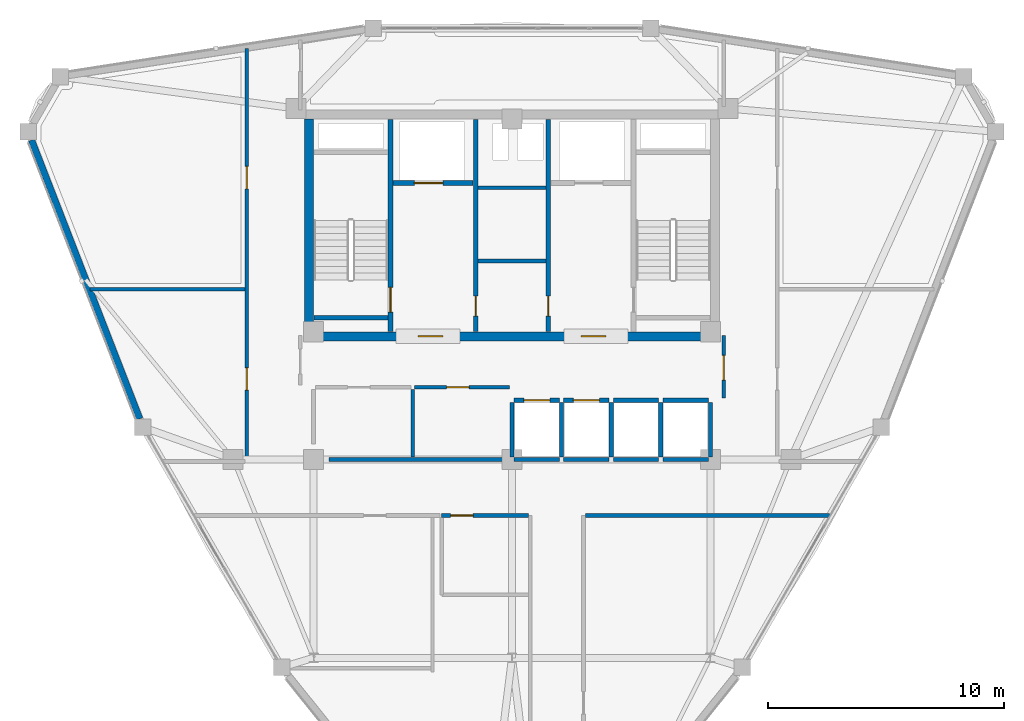
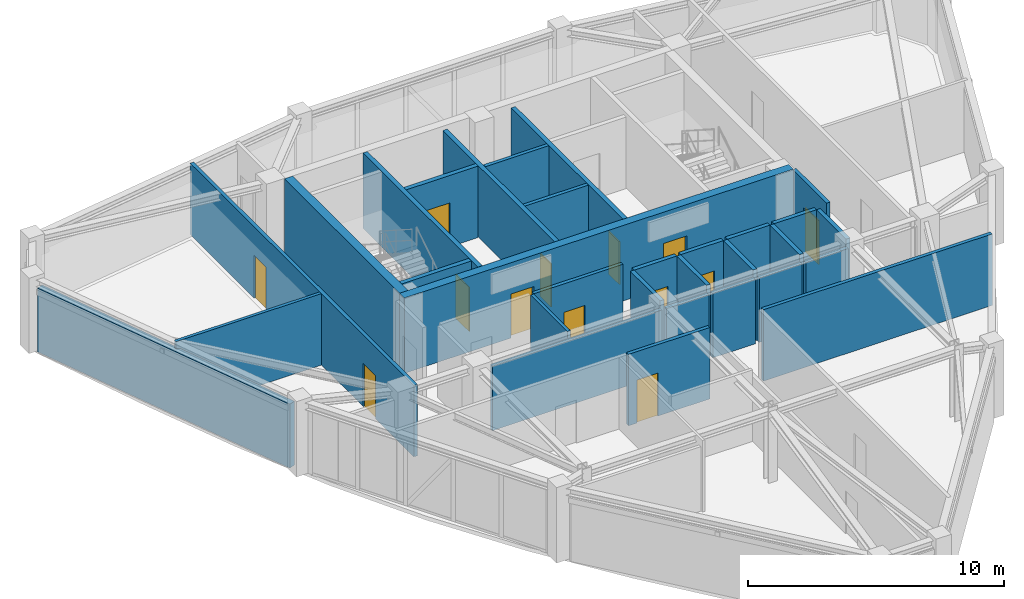
# One storey, part 12 of 15: 31 walls, 13 doors, 13 openings.
"""IFC4 building model written with IfcOpenShell, lengths in metres."""

from ifc_helpers import new_model, si_unit, derived_unit, direction, frame, frame_2d, origin, place, context, subcontext, project, spatial, rectangle, extrude, material, layer, layer_set, type_object, element, fill, save


model = new_model("IFC4")

# Units and contexts
model_context = context("Model", 3, precision=1e-05, world=origin(), true_north=direction((0.0, 1.0)))
body_context = subcontext(model_context, "Body", "Model", "MODEL_VIEW")
ifc_project = project(units=[si_unit("LENGTHUNIT", "METRE"), si_unit("AREAUNIT", "SQUARE_METRE"), si_unit("VOLUMEUNIT", "CUBIC_METRE"), si_unit("PLANEANGLEUNIT", "RADIAN"), si_unit("MASSUNIT", "GRAM", prefix="KILO"), derived_unit("THERMALTRANSMITTANCEUNIT", [(si_unit("POWERUNIT", "WATT"), 1), (si_unit("LENGTHUNIT", "METRE"), -2), (si_unit("THERMODYNAMICTEMPERATUREUNIT", "KELVIN"), -1)])], contexts=[model_context])

# Site, building, storey
site_placement = place(None, origin())
site = spatial("IfcSite", under=ifc_project, at=site_placement, CompositionType="ELEMENT")
building_placement = place(site_placement, origin())
building = spatial("IfcBuilding", under=site, at=building_placement, Name="Korsvarv Bourse and Concert Hall", CompositionType="ELEMENT")
storey_placement = place(building_placement, frame((0.0, 0.0, 268.199951171875)))
storey = spatial("IfcBuildingStorey", under=building, at=storey_placement, Name="L70", CompositionType="ELEMENT", Elevation=268.199951171875)

# Wall, openings, doors
ifc_material_1 = material(Name="Concrete C50/60", Category="concrete")
ifc_layer_1 = layer(ifc_material_1, 0.3798828125)
ifc_layer_set_1 = layer_set([ifc_layer_1], Name="Concrete C50/60")
wall_type_1 = type_object("IfcWallType", Name="WL-CORE-380", PredefinedType="SHEAR", material=ifc_layer_set_1)
wall_1_placement = place(storey_placement, frame((27.219970703125, 37.610107421875, 0.0), z_axis=(0.0, 0.0, 1.0), x_axis=(1.0, 0.0, 0.0)))
wall_1 = element("IfcWall", 1, at=wall_1_placement, inside=storey, type_object=wall_type_1, Name="L70 South Core Shear Wall", PredefinedType="SHEAR", context=body_context, shape_type="SweptSolid", body=[
    extrude(rectangle(XDim=17.56005859375, YDim=0.3798828125, at=frame_2d((8.780029296875, 0.0))), origin(), (0.0, 0.0, 1.0), 3.60009765625),
])
opening_1_placement = place(wall_1_placement, frame((4.804931640625, 0.0, 0.0)))
opening_1 = element("IfcOpeningElement", 2, at=opening_1_placement, cuts=wall_1, Name="Opening D-01", PredefinedType="OPENING", context=body_context, shape_type="SweptSolid", body=[
    extrude(rectangle(XDim=1.050048828125, YDim=2.10009765625, at=frame_2d((0.52490234375, 1.050048828125))), frame((0.0, 0.199951171875, 0.0), z_axis=(0.0, -1.0, 0.0), x_axis=(1.0, 0.0, 0.0)), (0.0, 0.0, 1.0), 0.39990234375),
])
opening_2_placement = place(wall_1_placement, frame((11.705078125, 0.0, 0.0)))
opening_2 = element("IfcOpeningElement", 3, at=opening_2_placement, cuts=wall_1, Name="Opening D-01", PredefinedType="OPENING", context=body_context, shape_type="SweptSolid", body=[
    extrude(rectangle(XDim=1.050048828125, YDim=2.10009765625, at=frame_2d((0.52490234375, 1.050048828125))), frame((0.0, 0.199951171875, 0.0), z_axis=(0.0, -1.0, 0.0), x_axis=(1.0, 0.0, 0.0)), (0.0, 0.0, 1.0), 0.39990234375),
])
ifc_material_2 = material(Name="Steel S355 fire door", Category="steel")
door_type_1 = type_object("IfcDoorType", Name="DR-FD60", OperationType="NOTDEFINED", PredefinedType="DOOR", material=ifc_material_2)
door_1_placement = place(opening_1_placement, frame((1.050048828125, 0.0, 0.0), z_axis=(0.0, 0.0, 1.0), x_axis=(-1.0, 0.0, 0.0)))
door_1 = element("IfcDoor", 4, at=door_1_placement, inside=storey, type_object=door_type_1, Name="L70 firefighting lobby fire door DR-L70-FFLW", OperationType="SINGLE_SWING_RIGHT", OverallHeight=2.10009765625, OverallWidth=1.050048828125, PredefinedType="DOOR", context=body_context, shape_type="SweptSolid", body=[
    extrude(rectangle(XDim=1.050048828125, YDim=2.10009765625, at=frame_2d((0.52490234375, 1.050048828125))), frame((0.0, 0.02490234375, 0.0), z_axis=(0.0, -1.0, 0.0), x_axis=(1.0, 0.0, 0.0)), (0.0, 0.0, 1.0), 0.050048828125),
])
fill(opening_1, door_1)
door_2_placement = place(opening_2_placement, frame((1.050048828125, 0.0, 0.0), z_axis=(0.0, 0.0, 1.0), x_axis=(-1.0, 0.0, 0.0)))
door_2 = element("IfcDoor", 5, at=door_2_placement, inside=storey, type_object=door_type_1, Name="L70 firefighting lobby fire door DR-L70-FFLE", OperationType="SINGLE_SWING_LEFT", OverallHeight=2.10009765625, OverallWidth=1.050048828125, PredefinedType="DOOR", context=body_context, shape_type="SweptSolid", body=[
    extrude(rectangle(XDim=1.050048828125, YDim=2.10009765625, at=frame_2d((0.52490234375, 1.050048828125))), frame((0.0, 0.02490234375, 0.0), z_axis=(0.0, -1.0, 0.0), x_axis=(1.0, 0.0, 0.0)), (0.0, 0.0, 1.0), 0.050048828125),
])
fill(opening_2, door_2)

# Wall
wall_2_placement = place(storey_placement, frame((27.409912109375, 37.800048828125, 0.0), z_axis=(0.0, 0.0, 1.0), x_axis=(0.0, 1.0, 0.0)))
element("IfcWall", 6, at=wall_2_placement, inside=storey, type_object=wall_type_1, Name="L70 West Core Shear Wall", PredefinedType="SHEAR", context=body_context, shape_type="SweptSolid", body=[
    extrude(rectangle(XDim=9.0, YDim=0.3798828125, at=frame_2d((4.5, 0.0))), origin(), (0.0, 0.0, 1.0), 3.60009765625),
])

# Wall, opening, door
wall_3_placement = place(storey_placement, frame((30.860107421875, 37.81005859375, 0.0), z_axis=(0.0, 0.0, 1.0), x_axis=(0.0, 1.0, 0.0)))
wall_3 = element("IfcWall", 7, at=wall_3_placement, inside=storey, type_object=wall_type_1, Name="L70 stair shaft structural wall W-L70-ST1-E", PredefinedType="SHEAR", context=body_context, shape_type="SweptSolid", body=[
    extrude(rectangle(XDim=8.97998046875, YDim=0.199951171875, at=frame_2d((4.489990234375, 0.0))), origin(), (0.0, 0.0, 1.0), 3.60009765625),
])
opening_3_placement = place(wall_3_placement, frame((0.820068359375, 0.0, 0.0)))
opening_3 = element("IfcOpeningElement", 8, at=opening_3_placement, cuts=wall_3, Name="Opening D-01", PredefinedType="OPENING", context=body_context, shape_type="SweptSolid", body=[
    extrude(rectangle(XDim=1.050048828125, YDim=2.10009765625, at=frame_2d((0.52490234375, 1.050048828125))), frame((0.0, 0.10986328125, 0.0), z_axis=(0.0, -1.0, 0.0), x_axis=(1.0, 0.0, 0.0)), (0.0, 0.0, 1.0), 0.219970703125),
])
door_3_placement = place(opening_3_placement, origin())
door_3 = element("IfcDoor", 9, at=door_3_placement, inside=storey, type_object=door_type_1, Name="L70 interior door DR-L70-ST1", OperationType="SINGLE_SWING_LEFT", OverallHeight=2.10009765625, OverallWidth=1.050048828125, PredefinedType="DOOR", context=body_context, shape_type="SweptSolid", body=[
    extrude(rectangle(XDim=1.050048828125, YDim=2.10009765625, at=frame_2d((0.52490234375, 1.050048828125))), frame((0.0, 0.02490234375, 0.0), z_axis=(0.0, -1.0, 0.0), x_axis=(1.0, 0.0, 0.0)), (0.0, 0.0, 1.0), 0.050048828125),
])
fill(opening_3, door_3)

# Walls
wall_4_placement = place(storey_placement, frame((27.610107421875, 38.39990234375, 0.0), z_axis=(0.0, 0.0, 1.0), x_axis=(1.0, 0.0, 0.0)))
element("IfcWall", 10, at=wall_4_placement, inside=storey, type_object=wall_type_1, Name="L70 stair shaft structural wall W-L70-ST1-S", PredefinedType="SHEAR", context=body_context, shape_type="SweptSolid", body=[
    extrude(rectangle(XDim=3.139892578125, YDim=0.199951171875, at=frame_2d((1.56982421875, 0.0))), origin(), (0.0, 0.0, 1.0), 3.60009765625),
])
ifc_material_3 = material(Name="Precast concrete C45/55 with fluted terracotta pier", Category="concrete")
ifc_layer_2 = layer(ifc_material_3, 0.280029296875)
ifc_layer_set_2 = layer_set([ifc_layer_2], Name="Precast concrete C45/55 with fluted terracotta pier")
wall_type_2 = type_object("IfcWallType", Name="WL-EXT-TC2", PredefinedType="SOLIDWALL", material=ifc_layer_set_2)
wall_5_placement = place(storey_placement, frame((15.66357421875, 45.911376953125, 0.0), z_axis=(0.0, 0.0, 1.0), x_axis=(0.3618810561, -0.932224276253, 0.0)))
element("IfcWall", 11, at=wall_5_placement, inside=storey, type_object=wall_type_2, Name="L70 terracotta exterior wall EW-L70-B06", PredefinedType="SOLIDWALL", context=body_context, shape_type="SweptSolid", body=[
    extrude(rectangle(XDim=12.654296875, YDim=0.280029296875, at=frame_2d((6.3271484375, 0.0))), origin(), (0.0, 0.0, 1.0), 3.050048828125),
])

# Wall, opening, door
ifc_material_4 = material(Name="Reinforced concrete blockwork C35/45 fire wall", Category="concrete")
ifc_layer_3 = layer(ifc_material_4, 0.199951171875)
ifc_layer_set_3 = layer_set([ifc_layer_3], Name="Reinforced concrete blockwork C35/45 fire wall")
wall_type_3 = type_object("IfcWallType", Name="WL-INT-EI120", PredefinedType="PARTITIONING", material=ifc_layer_set_3)
wall_6_placement = place(storey_placement, frame((30.969970703125, 44.10009765625, 0.0), z_axis=(0.0, 0.0, 1.0), x_axis=(1.0, 0.0, 0.0)))
wall_6 = element("IfcWall", 12, at=wall_6_placement, inside=storey, type_object=wall_type_3, Name="L70 interior partition wall W-L70-FF1-S", PredefinedType="PARTITIONING", context=body_context, shape_type="SweptSolid", body=[
    extrude(rectangle(XDim=3.380126953125, YDim=0.199951171875, at=frame_2d((1.68994140625, 0.0))), origin(), (0.0, 0.0, 1.0), 3.41015625),
])
opening_4_placement = place(wall_6_placement, frame((0.89990234375, 0.0, 0.0)))
opening_4 = element("IfcOpeningElement", 13, at=opening_4_placement, cuts=wall_6, Name="Opening LD-1", PredefinedType="OPENING", context=body_context, shape_type="SweptSolid", body=[
    extrude(rectangle(XDim=1.199951171875, YDim=2.10009765625, at=frame_2d((0.60009765625, 1.050048828125))), frame((0.0, 0.10986328125, 0.0), z_axis=(0.0, -1.0, 0.0), x_axis=(1.0, 0.0, 0.0)), (0.0, 0.0, 1.0), 0.219970703125),
])
ifc_material_5 = material(Name="Stainless Steel S355 firefighting lift landing door", Category="steel")
door_type_2 = type_object("IfcDoorType", Name="DR-LIFT-FF", OperationType="DOUBLE_DOOR_SLIDING", PredefinedType="DOOR", material=ifc_material_5)
door_4_placement = place(opening_4_placement, origin())
door_4 = element("IfcDoor", 14, at=door_4_placement, inside=storey, type_object=door_type_2, Name="L70 lift sliding landing door LD-L70-FF1", OperationType="DOUBLE_DOOR_SLIDING", OverallHeight=2.10009765625, OverallWidth=1.199951171875, PredefinedType="DOOR", context=body_context, shape_type="SweptSolid", body=[
    extrude(rectangle(XDim=1.199951171875, YDim=2.10009765625, at=frame_2d((0.60009765625, 1.050048828125))), frame((0.0, 0.02490234375, 0.0), z_axis=(0.0, -1.0, 0.0), x_axis=(1.0, 0.0, 0.0)), (0.0, 0.0, 1.0), 0.050048828125),
])
fill(opening_4, door_4)

wall_7_placement = place(storey_placement, frame((34.4599609375, 37.81005859375, 0.0), z_axis=(0.0, 0.0, 1.0), x_axis=(0.0, 1.0, 0.0)))
wall_7 = element("IfcWall", 15, at=wall_7_placement, inside=storey, type_object=wall_type_3, Name="L70 interior partition wall W-L70-CSB-W", PredefinedType="PARTITIONING", context=body_context, shape_type="SweptSolid", body=[
    extrude(rectangle(XDim=8.97998046875, YDim=0.199951171875, at=frame_2d((4.489990234375, 0.0))), origin(), (0.0, 0.0, 1.0), 3.41015625),
])
opening_5_placement = place(wall_7_placement, frame((0.64990234375, 0.0, 0.0)))
opening_5 = element("IfcOpeningElement", 16, at=opening_5_placement, cuts=wall_7, Name="Opening D-05", PredefinedType="OPENING", context=body_context, shape_type="SweptSolid", body=[
    extrude(rectangle(XDim=0.85009765625, YDim=2.050048828125, at=frame_2d((0.425048828125, 1.02490234375))), frame((0.0, 0.10986328125, 0.0), z_axis=(0.0, -1.0, 0.0), x_axis=(1.0, 0.0, 0.0)), (0.0, 0.0, 1.0), 0.219970703125),
])
door_type_3 = type_object("IfcDoorType", Name="DR-FD60-850X2050", OperationType="NOTDEFINED", PredefinedType="DOOR", material=ifc_material_2)
door_5_placement = place(opening_5_placement, frame((0.85009765625, 0.0, 0.0), z_axis=(0.0, 0.0, 1.0), x_axis=(-1.0, 0.0, 0.0)))
door_5 = element("IfcDoor", 17, at=door_5_placement, inside=storey, type_object=door_type_3, Name="L70 interior door DR-L70-CSB1", OperationType="SINGLE_SWING_LEFT", OverallHeight=2.050048828125, OverallWidth=0.85009765625, PredefinedType="DOOR", context=body_context, shape_type="SweptSolid", body=[
    extrude(rectangle(XDim=0.85009765625, YDim=2.050048828125, at=frame_2d((0.425048828125, 1.02490234375))), frame((0.0, 0.02490234375, 0.0), z_axis=(0.0, -1.0, 0.0), x_axis=(1.0, 0.0, 0.0)), (0.0, 0.0, 1.0), 0.050048828125),
])
fill(opening_5, door_5)

wall_8_placement = place(storey_placement, frame((37.5400390625, 37.81005859375, 0.0), z_axis=(0.0, 0.0, 1.0), x_axis=(0.0, 1.0, 0.0)))
wall_8 = element("IfcWall", 18, at=wall_8_placement, inside=storey, type_object=wall_type_3, Name="L70 interior partition wall W-L70-CSB-E", PredefinedType="PARTITIONING", context=body_context, shape_type="SweptSolid", body=[
    extrude(rectangle(XDim=8.97998046875, YDim=0.199951171875, at=frame_2d((4.489990234375, 0.0))), origin(), (0.0, 0.0, 1.0), 3.41015625),
])
opening_6_placement = place(wall_8_placement, frame((0.64990234375, 0.0, 0.0)))
opening_6 = element("IfcOpeningElement", 19, at=opening_6_placement, cuts=wall_8, Name="Opening D-05", PredefinedType="OPENING", context=body_context, shape_type="SweptSolid", body=[
    extrude(rectangle(XDim=0.85009765625, YDim=2.050048828125, at=frame_2d((0.425048828125, 1.02490234375))), frame((0.0, 0.10986328125, 0.0), z_axis=(0.0, -1.0, 0.0), x_axis=(1.0, 0.0, 0.0)), (0.0, 0.0, 1.0), 0.219970703125),
])
door_6_placement = place(opening_6_placement, origin())
door_6 = element("IfcDoor", 20, at=door_6_placement, inside=storey, type_object=door_type_3, Name="L70 interior door DR-L70-CSB2", OperationType="SINGLE_SWING_RIGHT", OverallHeight=2.050048828125, OverallWidth=0.85009765625, PredefinedType="DOOR", context=body_context, shape_type="SweptSolid", body=[
    extrude(rectangle(XDim=0.85009765625, YDim=2.050048828125, at=frame_2d((0.425048828125, 1.02490234375))), frame((0.0, 0.02490234375, 0.0), z_axis=(0.0, -1.0, 0.0), x_axis=(1.0, 0.0, 0.0)), (0.0, 0.0, 1.0), 0.050048828125),
])
fill(opening_6, door_6)

# Walls
ifc_material_6 = material(Name="Double-stud fire-rated acoustic partition", Category="gypsum")
ifc_layer_4 = layer(ifc_material_6, 0.159912109375)
ifc_layer_set_4 = layer_set([ifc_layer_4], Name="Double-stud fire-rated acoustic partition")
wall_type_4 = type_object("IfcWallType", Name="WL-INT-EI60", PredefinedType="PARTITIONING", material=ifc_layer_set_4)
for number, where, z_axis, x_axis, name in (
    (21, (34.570068359375, 40.800048828125, 0.0), (0.0, 0.0, 1.0), (1.0, 0.0, 0.0), "L70 interior partition wall W-L70-K1"),
    (22, (34.570068359375, 43.89990234375, 0.0), (0.0, 0.0, 1.0), (1.0, 0.0, 0.0), "L70 interior partition wall W-L70-K2"),
):
    element("IfcWall", number, at=place(storey_placement, frame(where, z_axis=z_axis, x_axis=x_axis)), inside=storey, type_object=wall_type_4, Name=name, PredefinedType="PARTITIONING", context=body_context, shape_type="SweptSolid", body=[
        extrude(rectangle(XDim=2.85986328125, YDim=0.159912109375, at=frame_2d((1.429931640625, 0.0))), origin(), (0.0, 0.0, 1.0), 3.41015625),
    ])
wall_9_placement = place(storey_placement, frame((28.25, 32.39990234375, 0.0), z_axis=(0.0, 0.0, 1.0), x_axis=(1.0, 0.0, 0.0)))
element("IfcWall", 23, at=wall_9_placement, inside=storey, type_object=wall_type_4, Name="L70 interior partition wall W-L70-FRD-S", PredefinedType="PARTITIONING", context=body_context, shape_type="SweptSolid", body=[
    extrude(rectangle(XDim=7.64990234375, YDim=0.159912109375, at=frame_2d((3.824951171875, 0.0))), origin(), (0.0, 0.0, 1.0), 3.080078125),
])

# Wall, opening, door
wall_10_placement = place(storey_placement, frame((31.8798828125, 35.449951171875, 0.0), z_axis=(0.0, 0.0, 1.0), x_axis=(1.0, 0.0, 0.0)))
wall_10 = element("IfcWall", 24, at=wall_10_placement, inside=storey, type_object=wall_type_4, Name="L70 interior partition wall W-L70-FRD-N2", PredefinedType="PARTITIONING", context=body_context, shape_type="SweptSolid", body=[
    extrude(rectangle(XDim=4.02001953125, YDim=0.159912109375, at=frame_2d((2.010009765625, 0.0))), origin(), (0.0, 0.0, 1.0), 3.41015625),
])
opening_7_placement = place(wall_10_placement, frame((1.35009765625, 0.0, 0.0)))
opening_7 = element("IfcOpeningElement", 25, at=opening_7_placement, cuts=wall_10, Name="Opening D-03", PredefinedType="OPENING", context=body_context, shape_type="SweptSolid", body=[
    extrude(rectangle(XDim=0.949951171875, YDim=2.050048828125, at=frame_2d((0.47509765625, 1.02490234375))), frame((0.0, 0.08984375, 0.0), z_axis=(0.0, -1.0, 0.0), x_axis=(1.0, 0.0, 0.0)), (0.0, 0.0, 1.0), 0.179931640625),
])
ifc_material_7 = material(Name="Nordic oak acoustic office door", Category="wood")
door_type_4 = type_object("IfcDoorType", Name="DR-INT-1", OperationType="NOTDEFINED", PredefinedType="DOOR", material=ifc_material_7)
door_7_placement = place(opening_7_placement, origin())
door_7 = element("IfcDoor", 26, at=door_7_placement, inside=storey, type_object=door_type_4, Name="L70 interior door DR-L70-FRDN2", OperationType="SINGLE_SWING_RIGHT", OverallHeight=2.050048828125, OverallWidth=0.949951171875, PredefinedType="DOOR", context=body_context, shape_type="SweptSolid", body=[
    extrude(rectangle(XDim=0.949951171875, YDim=2.050048828125, at=frame_2d((0.47509765625, 1.02490234375))), frame((0.0, 0.02490234375, 0.0), z_axis=(0.0, -1.0, 0.0), x_axis=(1.0, 0.0, 0.0)), (0.0, 0.0, 1.0), 0.050048828125),
])
fill(opening_7, door_7)

wall_11_placement = place(storey_placement, frame((44.9599609375, 35.0, 0.0), z_axis=(0.0, 0.0, 1.0), x_axis=(0.0, 1.0, 0.0)))
wall_11 = element("IfcWall", 27, at=wall_11_placement, inside=storey, type_object=wall_type_4, Name="L70 interior partition wall W-L70-LOB-E", PredefinedType="PARTITIONING", context=body_context, shape_type="SweptSolid", body=[
    extrude(rectangle(XDim=2.64990234375, YDim=0.159912109375, at=frame_2d((1.324951171875, 0.0))), origin(), (0.0, 0.0, 1.0), 3.41015625),
])
opening_8_placement = place(wall_11_placement, frame((0.75, 0.0, 0.0)))
opening_8 = element("IfcOpeningElement", 28, at=opening_8_placement, cuts=wall_11, Name="Opening D-01", PredefinedType="OPENING", context=body_context, shape_type="SweptSolid", body=[
    extrude(rectangle(XDim=1.050048828125, YDim=2.10009765625, at=frame_2d((0.52490234375, 1.050048828125))), frame((0.0, 0.08984375, 0.0), z_axis=(0.0, -1.0, 0.0), x_axis=(1.0, 0.0, 0.0)), (0.0, 0.0, 1.0), 0.179931640625),
])
door_8_placement = place(opening_8_placement, origin())
door_8 = element("IfcDoor", 29, at=door_8_placement, inside=storey, type_object=door_type_1, Name="L70 interior door DR-L70-LOBE", OperationType="SINGLE_SWING_RIGHT", OverallHeight=2.10009765625, OverallWidth=1.050048828125, PredefinedType="DOOR", context=body_context, shape_type="SweptSolid", body=[
    extrude(rectangle(XDim=1.050048828125, YDim=2.10009765625, at=frame_2d((0.52490234375, 1.050048828125))), frame((0.0, 0.02490234375, 0.0), z_axis=(0.0, -1.0, 0.0), x_axis=(1.0, 0.0, 0.0)), (0.0, 0.0, 1.0), 0.050048828125),
])
fill(opening_8, door_8)

# Wall, openings, doors
wall_12_placement = place(storey_placement, frame((24.77490234375, 32.31005859375, 0.0), z_axis=(0.0, 0.0, 1.0), x_axis=(0.0, 1.0, 0.0)))
wall_12 = element("IfcWall", 30, at=wall_12_placement, inside=storey, type_object=wall_type_4, Name="L70 interior partition wall W-L70-TCOR-02", PredefinedType="PARTITIONING", context=body_context, shape_type="SweptSolid", body=[
    extrude(rectangle(XDim=17.4892578125, YDim=0.159912109375, at=frame_2d((8.74462890625, 0.0))), origin(), (0.0, 0.0, 1.0), 3.41015625),
])
opening_9_placement = place(wall_12_placement, frame((3.017578125, 0.0, 0.0)))
opening_9 = element("IfcOpeningElement", 31, at=opening_9_placement, cuts=wall_12, Name="Opening D-02", PredefinedType="OPENING", context=body_context, shape_type="SweptSolid", body=[
    extrude(rectangle(XDim=0.949951171875, YDim=2.050048828125, at=frame_2d((0.47509765625, 1.02490234375))), frame((0.0, 0.08984375, 0.0), z_axis=(0.0, -1.0, 0.0), x_axis=(1.0, 0.0, 0.0)), (0.0, 0.0, 1.0), 0.179931640625),
])
opening_10_placement = place(wall_12_placement, frame((11.54052734375, 0.0, 0.0)))
opening_10 = element("IfcOpeningElement", 32, at=opening_10_placement, cuts=wall_12, Name="Opening D-02", PredefinedType="OPENING", context=body_context, shape_type="SweptSolid", body=[
    extrude(rectangle(XDim=0.949951171875, YDim=2.050048828125, at=frame_2d((0.47509765625, 1.02490234375))), frame((0.0, 0.08984375, 0.0), z_axis=(0.0, -1.0, 0.0), x_axis=(1.0, 0.0, 0.0)), (0.0, 0.0, 1.0), 0.179931640625),
])
ifc_material_8 = material(Name="Timber and steel acoustic fire door", Category="wood")
door_type_5 = type_object("IfcDoorType", Name="DR-FD30", OperationType="NOTDEFINED", PredefinedType="DOOR", material=ifc_material_8)
door_9_placement = place(opening_9_placement, origin())
door_9 = element("IfcDoor", 33, at=door_9_placement, inside=storey, type_object=door_type_5, Name="L70 interior door DR-L70-TCOR-FO57", OperationType="SINGLE_SWING_LEFT", OverallHeight=2.050048828125, OverallWidth=0.949951171875, PredefinedType="DOOR", context=body_context, shape_type="SweptSolid", body=[
    extrude(rectangle(XDim=0.949951171875, YDim=2.050048828125, at=frame_2d((0.47509765625, 1.02490234375))), frame((0.0, 0.02490234375, 0.0), z_axis=(0.0, -1.0, 0.0), x_axis=(1.0, 0.0, 0.0)), (0.0, 0.0, 1.0), 0.050048828125),
])
fill(opening_9, door_9)
door_10_placement = place(opening_10_placement, origin())
door_10 = element("IfcDoor", 34, at=door_10_placement, inside=storey, type_object=door_type_5, Name="L70 interior door DR-L70-TCOR-FO68", OperationType="SINGLE_SWING_RIGHT", OverallHeight=2.050048828125, OverallWidth=0.949951171875, PredefinedType="DOOR", context=body_context, shape_type="SweptSolid", body=[
    extrude(rectangle(XDim=0.949951171875, YDim=2.050048828125, at=frame_2d((0.47509765625, 1.02490234375))), frame((0.0, 0.02490234375, 0.0), z_axis=(0.0, -1.0, 0.0), x_axis=(1.0, 0.0, 0.0)), (0.0, 0.0, 1.0), 0.050048828125),
])
fill(opening_10, door_10)

# Wall
wall_13_placement = place(storey_placement, frame((39.10693359375, 30.02490234375, 0.0), z_axis=(0.0, 0.0, 1.0), x_axis=(1.0, 0.0, 0.0)))
element("IfcWall", 35, at=wall_13_placement, inside=storey, type_object=wall_type_4, Name="L70 interior partition wall W-L70-TCOR-05", PredefinedType="PARTITIONING", context=body_context, shape_type="SweptSolid", body=[
    extrude(rectangle(XDim=10.3359375, YDim=0.159912109375, at=frame_2d((5.16796875, 0.0))), origin(), (0.0, 0.0, 1.0), 3.41015625),
])

# Wall, opening, door
wall_14_placement = place(storey_placement, frame((33.02001953125, 30.02490234375, 0.0), z_axis=(0.0, 0.0, 1.0), x_axis=(1.0, 0.0, 0.0)))
wall_14 = element("IfcWall", 36, at=wall_14_placement, inside=storey, type_object=wall_type_4, Name="L70 interior partition wall W-L70-TCOR-07", PredefinedType="PARTITIONING", context=body_context, shape_type="SweptSolid", body=[
    extrude(rectangle(XDim=3.673095703125, YDim=0.159912109375, at=frame_2d((1.83642578125, 0.0))), origin(), (0.0, 0.0, 1.0), 3.41015625),
])
opening_11_placement = place(wall_14_placement, frame((0.3798828125, 0.0, 0.0)))
opening_11 = element("IfcOpeningElement", 37, at=opening_11_placement, cuts=wall_14, Name="Opening D-02", PredefinedType="OPENING", context=body_context, shape_type="SweptSolid", body=[
    extrude(rectangle(XDim=0.949951171875, YDim=2.050048828125, at=frame_2d((0.47509765625, 1.02490234375))), frame((0.0, 0.08984375, 0.0), z_axis=(0.0, -1.0, 0.0), x_axis=(1.0, 0.0, 0.0)), (0.0, 0.0, 1.0), 0.179931640625),
])
door_11_placement = place(opening_11_placement, origin())
door_11 = element("IfcDoor", 38, at=door_11_placement, inside=storey, type_object=door_type_5, Name="L70 interior door DR-L70-TCOR-RWC", OperationType="SINGLE_SWING_RIGHT", OverallHeight=2.050048828125, OverallWidth=0.949951171875, PredefinedType="DOOR", context=body_context, shape_type="SweptSolid", body=[
    extrude(rectangle(XDim=0.949951171875, YDim=2.050048828125, at=frame_2d((0.47509765625, 1.02490234375))), frame((0.0, 0.02490234375, 0.0), z_axis=(0.0, -1.0, 0.0), x_axis=(1.0, 0.0, 0.0)), (0.0, 0.0, 1.0), 0.050048828125),
])
fill(opening_11, door_11)

ifc_material_9 = material(Name="Gypsum-clad autoclaved concrete shaft wall C30/37", Category="concrete")
ifc_layer_5 = layer(ifc_material_9, 0.179931640625)
ifc_layer_set_5 = layer_set([ifc_layer_5], Name="Gypsum-clad autoclaved concrete shaft wall C30/37")
wall_type_5 = type_object("IfcWallType", Name="WL-INT-EI90", PredefinedType="PARTITIONING", material=ifc_layer_set_5)
wall_15_placement = place(storey_placement, frame((36.090087890625, 34.89990234375, 0.0), z_axis=(0.0, 0.0, 1.0), x_axis=(1.0, 0.0, 0.0)))
wall_15 = element("IfcWall", 39, at=wall_15_placement, inside=storey, type_object=wall_type_5, Name="L70 interior partition wall W-L70-SHFN-PH1", PredefinedType="PARTITIONING", context=body_context, shape_type="SweptSolid", body=[
    extrude(rectangle(XDim=1.919921875, YDim=0.179931640625, at=frame_2d((0.9599609375, 0.0))), origin(), (0.0, 0.0, 1.0), 3.41015625),
])
opening_12_placement = place(wall_15_placement, frame((0.409912109375, 0.0, 0.0)))
opening_12 = element("IfcOpeningElement", 40, at=opening_12_placement, cuts=wall_15, Name="Opening LD-2", PredefinedType="OPENING", context=body_context, shape_type="SweptSolid", body=[
    extrude(rectangle(XDim=1.10009765625, YDim=2.10009765625, at=frame_2d((0.550048828125, 1.050048828125))), frame((0.0, 0.10009765625, 0.0), z_axis=(0.0, -1.0, 0.0), x_axis=(1.0, 0.0, 0.0)), (0.0, 0.0, 1.0), 0.199951171875),
])
ifc_material_10 = material(Name="Brushed stainless Steel S355 lift landing door", Category="steel")
door_type_6 = type_object("IfcDoorType", Name="DR-LIFT-P", OperationType="DOUBLE_DOOR_SLIDING", PredefinedType="DOOR", material=ifc_material_10)
door_12_placement = place(opening_12_placement, origin())
door_12 = element("IfcDoor", 41, at=door_12_placement, inside=storey, type_object=door_type_6, Name="L70 lift sliding landing door LD-L70-PH1", OperationType="DOUBLE_DOOR_SLIDING", OverallHeight=2.10009765625, OverallWidth=1.10009765625, PredefinedType="DOOR", context=body_context, shape_type="SweptSolid", body=[
    extrude(rectangle(XDim=1.10009765625, YDim=2.10009765625, at=frame_2d((0.550048828125, 1.050048828125))), frame((0.0, 0.02490234375, 0.0), z_axis=(0.0, -1.0, 0.0), x_axis=(1.0, 0.0, 0.0)), (0.0, 0.0, 1.0), 0.050048828125),
])
fill(opening_12, door_12)

# Walls
wall_16_placement = place(storey_placement, frame((36.090087890625, 32.39990234375, 0.0), z_axis=(0.0, 0.0, 1.0), x_axis=(1.0, 0.0, 0.0)))
element("IfcWall", 42, at=wall_16_placement, inside=storey, type_object=wall_type_5, Name="L70 interior partition wall W-L70-SHFS-PH1", PredefinedType="PARTITIONING", context=body_context, shape_type="SweptSolid", body=[
    extrude(rectangle(XDim=1.919921875, YDim=0.179931640625, at=frame_2d((0.9599609375, 0.0))), origin(), (0.0, 0.0, 1.0), 3.080078125),
])
wall_17_placement = place(storey_placement, frame((36.0, 32.489990234375, 0.0), z_axis=(0.0, 0.0, 1.0), x_axis=(0.0, 1.0, 0.0)))
element("IfcWall", 43, at=wall_17_placement, inside=storey, type_object=wall_type_5, Name="L70 interior partition wall W-L70-SHFW-PH1", PredefinedType="PARTITIONING", context=body_context, shape_type="SweptSolid", body=[
    extrude(rectangle(XDim=2.320068359375, YDim=0.179931640625, at=frame_2d((1.16015625, 0.0))), origin(), (0.0, 0.0, 1.0), 3.41015625),
])

# Wall, opening, door
wall_18_placement = place(storey_placement, frame((38.18994140625, 34.89990234375, 0.0), z_axis=(0.0, 0.0, 1.0), x_axis=(1.0, 0.0, 0.0)))
wall_18 = element("IfcWall", 44, at=wall_18_placement, inside=storey, type_object=wall_type_5, Name="L70 interior partition wall W-L70-SHFN-PH2", PredefinedType="PARTITIONING", context=body_context, shape_type="SweptSolid", body=[
    extrude(rectangle(XDim=1.920166015625, YDim=0.179931640625, at=frame_2d((0.9599609375, 0.0))), origin(), (0.0, 0.0, 1.0), 3.41015625),
])
opening_13_placement = place(wall_18_placement, frame((0.409912109375, 0.0, 0.0)))
opening_13 = element("IfcOpeningElement", 45, at=opening_13_placement, cuts=wall_18, Name="Opening LD-2", PredefinedType="OPENING", context=body_context, shape_type="SweptSolid", body=[
    extrude(rectangle(XDim=1.10009765625, YDim=2.10009765625, at=frame_2d((0.550048828125, 1.050048828125))), frame((0.0, 0.10009765625, 0.0), z_axis=(0.0, -1.0, 0.0), x_axis=(1.0, 0.0, 0.0)), (0.0, 0.0, 1.0), 0.199951171875),
])
door_13_placement = place(opening_13_placement, origin())
door_13 = element("IfcDoor", 46, at=door_13_placement, inside=storey, type_object=door_type_6, Name="L70 lift sliding landing door LD-L70-PH2", OperationType="DOUBLE_DOOR_SLIDING", OverallHeight=2.10009765625, OverallWidth=1.10009765625, PredefinedType="DOOR", context=body_context, shape_type="SweptSolid", body=[
    extrude(rectangle(XDim=1.10009765625, YDim=2.10009765625, at=frame_2d((0.550048828125, 1.050048828125))), frame((0.0, 0.02490234375, 0.0), z_axis=(0.0, -1.0, 0.0), x_axis=(1.0, 0.0, 0.0)), (0.0, 0.0, 1.0), 0.050048828125),
])
fill(opening_13, door_13)

# Walls
wall_19_placement = place(storey_placement, frame((38.18994140625, 32.39990234375, 0.0), z_axis=(0.0, 0.0, 1.0), x_axis=(1.0, 0.0, 0.0)))
element("IfcWall", 47, at=wall_19_placement, inside=storey, type_object=wall_type_5, Name="L70 interior partition wall W-L70-SHFS-PH2", PredefinedType="PARTITIONING", context=body_context, shape_type="SweptSolid", body=[
    extrude(rectangle(XDim=1.920166015625, YDim=0.179931640625, at=frame_2d((0.9599609375, 0.0))), origin(), (0.0, 0.0, 1.0), 3.080078125),
])
wall_20_placement = place(storey_placement, frame((38.10009765625, 32.489990234375, 0.0), z_axis=(0.0, 0.0, 1.0), x_axis=(0.0, 1.0, 0.0)))
element("IfcWall", 48, at=wall_20_placement, inside=storey, type_object=wall_type_5, Name="L70 interior partition wall W-L70-SHFW-PH2", PredefinedType="PARTITIONING", context=body_context, shape_type="SweptSolid", body=[
    extrude(rectangle(XDim=2.320068359375, YDim=0.179931640625, at=frame_2d((1.16015625, 0.0))), origin(), (0.0, 0.0, 1.0), 3.41015625),
])
wall_21_placement = place(storey_placement, frame((40.2900390625, 34.89990234375, 0.0), z_axis=(0.0, 0.0, 1.0), x_axis=(1.0, 0.0, 0.0)))
element("IfcWall", 49, at=wall_21_placement, inside=storey, type_object=wall_type_5, Name="L70 interior partition wall W-L70-SHFN-PO1", PredefinedType="PARTITIONING", context=body_context, shape_type="SweptSolid", body=[
    extrude(rectangle(XDim=1.919921875, YDim=0.179931640625, at=frame_2d((0.9599609375, 0.0))), origin(), (0.0, 0.0, 1.0), 3.41015625),
])
wall_22_placement = place(storey_placement, frame((40.2900390625, 32.39990234375, 0.0), z_axis=(0.0, 0.0, 1.0), x_axis=(1.0, 0.0, 0.0)))
element("IfcWall", 50, at=wall_22_placement, inside=storey, type_object=wall_type_5, Name="L70 interior partition wall W-L70-SHFS-PO1", PredefinedType="PARTITIONING", context=body_context, shape_type="SweptSolid", body=[
    extrude(rectangle(XDim=1.919921875, YDim=0.179931640625, at=frame_2d((0.9599609375, 0.0))), origin(), (0.0, 0.0, 1.0), 3.080078125),
])
wall_23_placement = place(storey_placement, frame((40.199951171875, 32.489990234375, 0.0), z_axis=(0.0, 0.0, 1.0), x_axis=(0.0, 1.0, 0.0)))
element("IfcWall", 51, at=wall_23_placement, inside=storey, type_object=wall_type_5, Name="L70 interior partition wall W-L70-SHFW-PO1", PredefinedType="PARTITIONING", context=body_context, shape_type="SweptSolid", body=[
    extrude(rectangle(XDim=2.320068359375, YDim=0.179931640625, at=frame_2d((1.16015625, 0.0))), origin(), (0.0, 0.0, 1.0), 3.41015625),
])
wall_24_placement = place(storey_placement, frame((42.389892578125, 34.89990234375, 0.0), z_axis=(0.0, 0.0, 1.0), x_axis=(1.0, 0.0, 0.0)))
element("IfcWall", 52, at=wall_24_placement, inside=storey, type_object=wall_type_5, Name="L70 interior partition wall W-L70-SHFN-PO2", PredefinedType="PARTITIONING", context=body_context, shape_type="SweptSolid", body=[
    extrude(rectangle(XDim=1.920166015625, YDim=0.179931640625, at=frame_2d((0.9599609375, 0.0))), origin(), (0.0, 0.0, 1.0), 3.41015625),
])
wall_25_placement = place(storey_placement, frame((42.389892578125, 32.39990234375, 0.0), z_axis=(0.0, 0.0, 1.0), x_axis=(1.0, 0.0, 0.0)))
element("IfcWall", 53, at=wall_25_placement, inside=storey, type_object=wall_type_5, Name="L70 interior partition wall W-L70-SHFS-PO2", PredefinedType="PARTITIONING", context=body_context, shape_type="SweptSolid", body=[
    extrude(rectangle(XDim=1.920166015625, YDim=0.179931640625, at=frame_2d((0.9599609375, 0.0))), origin(), (0.0, 0.0, 1.0), 3.080078125),
])
for number, where, z_axis, x_axis, name in (
    (54, (42.300048828125, 32.489990234375, 0.0), (0.0, 0.0, 1.0), (0.0, 1.0, 0.0), "L70 interior partition wall W-L70-SHFW-PO2"),
    (55, (44.39990234375, 32.489990234375, 0.0), (0.0, 0.0, 1.0), (0.0, 1.0, 0.0), "L70 interior partition wall W-L70-SHFE-END"),
):
    element("IfcWall", number, at=place(storey_placement, frame(where, z_axis=z_axis, x_axis=x_axis)), inside=storey, type_object=wall_type_5, Name=name, PredefinedType="PARTITIONING", context=body_context, shape_type="SweptSolid", body=[
        extrude(rectangle(XDim=2.320068359375, YDim=0.179931640625, at=frame_2d((1.16015625, 0.0))), origin(), (0.0, 0.0, 1.0), 3.41015625),
    ])
ifc_material_11 = material(Name="Insulated steel-stud office acoustic partition", Category="gypsum")
ifc_layer_6 = layer(ifc_material_11, 0.139892578125)
ifc_layer_set_6 = layer_set([ifc_layer_6], Name="Insulated steel-stud office acoustic partition")
wall_type_6 = type_object("IfcWallType", Name="WL-INT-P1", PredefinedType="PARTITIONING", material=ifc_layer_set_6)
wall_26_placement = place(storey_placement, frame((31.800048828125, 32.489990234375, 0.0), z_axis=(0.0, 0.0, 1.0), x_axis=(0.0, 1.0, 0.0)))
element("IfcWall", 56, at=wall_26_placement, inside=storey, type_object=wall_type_6, Name="L70 interior partition wall W-L70-FRD-V", PredefinedType="PARTITIONING", context=body_context, shape_type="SweptSolid", body=[
    extrude(rectangle(XDim=2.8701171875, YDim=0.139892578125, at=frame_2d((1.43505859375, 0.0))), origin(), (0.0, 0.0, 1.0), 3.41015625),
])
wall_27_placement = place(storey_placement, frame((18.131591796875, 39.60498046875, 0.0), z_axis=(0.0, 0.0, 1.0), x_axis=(1.0, 0.0, 0.0)))
element("IfcWall", 57, at=wall_27_placement, inside=storey, type_object=wall_type_6, Name="L70 interior partition wall W-L70-TCOR-13", PredefinedType="PARTITIONING", context=body_context, shape_type="SweptSolid", body=[
    extrude(rectangle(XDim=6.5615234375, YDim=0.139892578125, at=frame_2d((3.28076171875, 0.0))), origin(), (0.0, 0.0, 1.0), 3.41015625),
])

save(model, "model.ifc")
